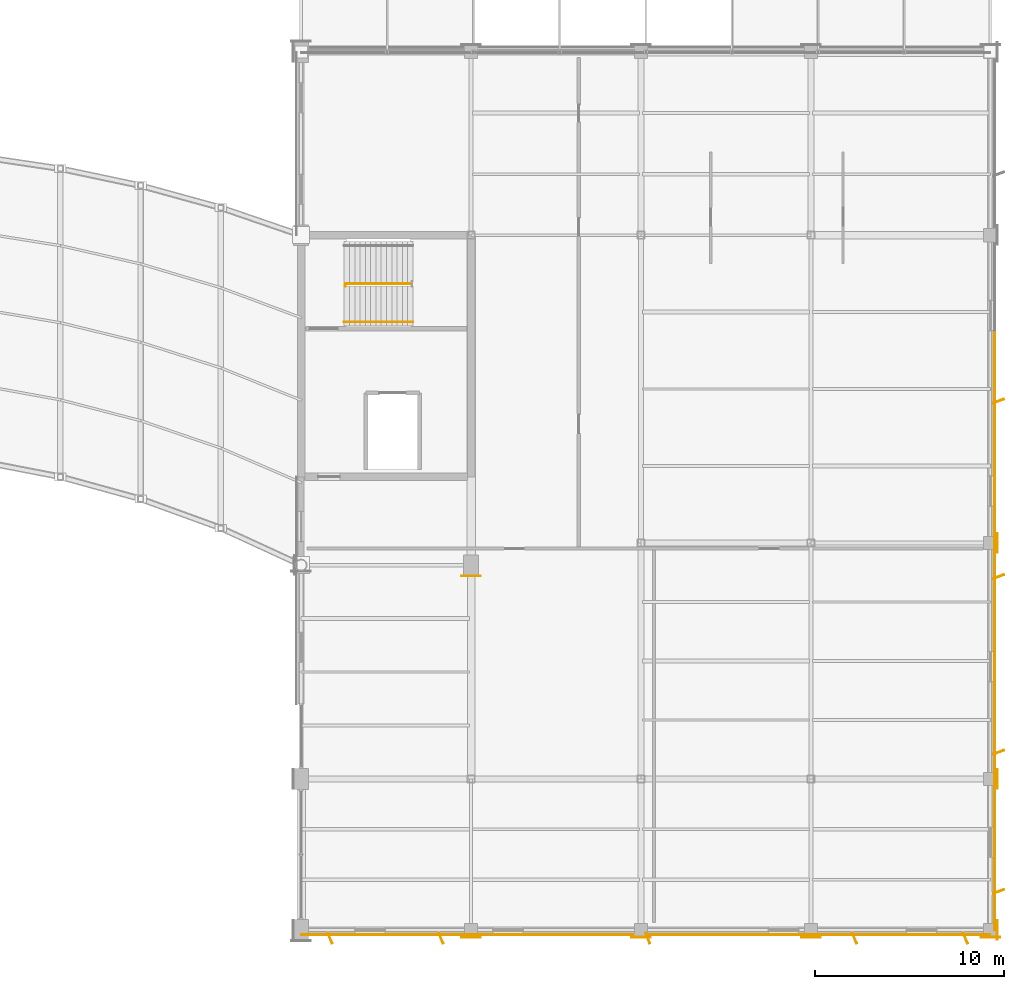
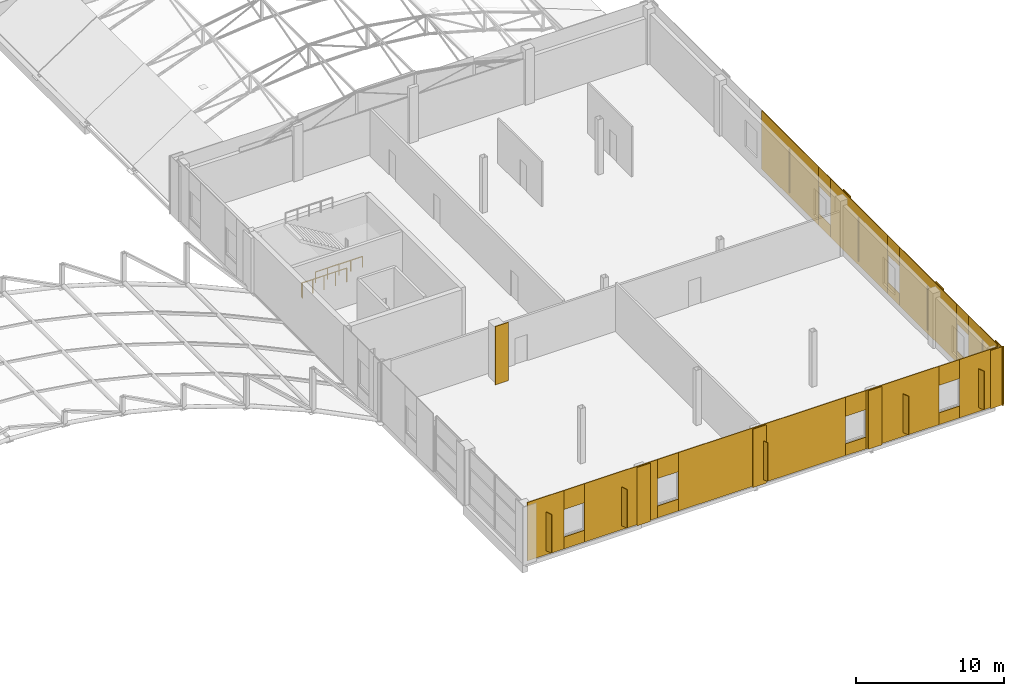
# One storey, part 98 of 101: 40 coverings, 2 railings.
"""IFC4 building model written with IfcOpenShell, lengths in metres."""

from ifc_helpers import new_model, si_unit, direction, frame, origin, origin_2d, place, context, subcontext, project, spatial, rectangle, circle, extrude, material, layer, layer_set, type_object, element, save


model = new_model("IFC4")

# Units and contexts
model_context = context("Model", 3, precision=1e-05, world=origin(), true_north=direction((0.0, 1.0)))
body_context = subcontext(model_context, "Body", "Model", "MODEL_VIEW")
ifc_project = project(units=[si_unit("LENGTHUNIT", "METRE"), si_unit("AREAUNIT", "SQUARE_METRE"), si_unit("VOLUMEUNIT", "CUBIC_METRE"), si_unit("PLANEANGLEUNIT", "RADIAN"), si_unit("MASSUNIT", "GRAM", prefix="KILO")], contexts=[model_context])

# Site, building, storey
site_placement = place(None, origin())
site = spatial("IfcSite", under=ifc_project, at=site_placement, CompositionType="ELEMENT")
building_placement = place(site_placement, origin())
building = spatial("IfcBuilding", under=site, at=building_placement, Name="Solvikara Media Centre", CompositionType="ELEMENT")
storey_placement = place(building_placement, frame((0.0, 0.0, 10.199951171875)))
storey = spatial("IfcBuildingStorey", under=building, at=storey_placement, Name="L02", CompositionType="ELEMENT", Elevation=10.199951171875)

# Coverings
ifc_material_1 = material(Name="GFRC white mineral architectural rainscreen panel")
ifc_layer = layer(ifc_material_1, 0.050048828125)
ifc_layer_set = layer_set([ifc_layer], Name="GFRC white mineral architectural rainscreen panel")
covering_type = type_object("IfcCoveringType", Name="CV-04", PredefinedType="CLADDING", material=ifc_layer_set)
for number, where, z_axis, x_axis, name in (
    (1, (136.5, -0.375, 0.0), (0.0, 0.0, 1.0), (1.0, 0.0, 0.0), "PIL-L02-200"),
    (2, (145.5, -0.375, 0.0), (0.0, 0.0, 1.0), (1.0, 0.0, 0.0), "PIL-L02-207"),
    (3, (154.5, -0.375, 0.0), (0.0, 0.0, 1.0), (1.0, 0.0, 0.0), "PIL-L02-213"),
    (4, (164.375, 0.0, 0.0), (0.0, 0.0, 1.0), (0.0, 1.0, 0.0), "PIL-L02-221"),
    (5, (164.0, -0.375, 0.0), (0.0, 0.0, 1.0), (1.0, 0.0, 0.0), "PIL-L02-222"),
    (6, (164.375, 8.0, 0.0), (0.0, 0.0, 1.0), (0.0, 1.0, 0.0), "PIL-L02-225"),
    (7, (164.375, 20.5, 0.0), (0.0, 0.0, 1.0), (0.0, 1.0, 0.0), "PIL-L02-230"),
    (8, (136.5, 18.7490234375, 0.0), (0.0, 0.0, 1.0), (1.0, 0.0, 0.0), "PIL-L02-244"),
):
    element("IfcCovering", number, at=place(storey_placement, frame(where, z_axis=z_axis, x_axis=x_axis)), inside=storey, type_object=covering_type, Name=name, PredefinedType="CLADDING", context=body_context, shape_type="SweptSolid", body=[
        extrude(rectangle(XDim=1.0400390625, YDim=0.050048828125, at=origin_2d()), origin(), (0.0, 0.0, 1.0), 4.800048828125),
    ])
covering_1_placement = place(storey_placement, frame((128.925048828125, -0.2451171875, 0.0), z_axis=(0.0, 0.0, 1.0), x_axis=(1.0, 0.0, 0.0)))
element("IfcCovering", 9, at=covering_1_placement, inside=storey, type_object=covering_type, Name="L02-V5S-CV-F01", PredefinedType="CLADDING", context=body_context, shape_type="SweptSolid", body=[
    extrude(rectangle(XDim=2.85009765625, YDim=0.050048828125, at=origin_2d()), origin(), (0.0, 0.0, 1.0), 4.800048828125),
])
covering_2_placement = place(storey_placement, frame((129.034912109375, -0.43505859375, 0.35009765625), z_axis=(0.0, 0.0, 1.0), x_axis=(0.3656566557, -0.930749810713, 0.0)))
element("IfcCovering", 10, at=covering_2_placement, inside=storey, type_object=covering_type, Name="L02-V5S-FIN-01", PredefinedType="CLADDING", context=body_context, shape_type="SweptSolid", body=[
    extrude(rectangle(XDim=0.60205078125, YDim=0.050048828125, at=origin_2d()), origin(), (0.0, 0.0, 1.0), 3.169921875),
])
covering_3_placement = place(storey_placement, frame((131.14990234375, -0.2451171875, 0.0), z_axis=(0.0, 0.0, 1.0), x_axis=(1.0, 0.0, 0.0)))
element("IfcCovering", 11, at=covering_3_placement, inside=storey, type_object=covering_type, Name="L02-V5S-CV-S02", PredefinedType="CLADDING", context=body_context, shape_type="SweptSolid", body=[
    extrude(rectangle(XDim=1.60009765625, YDim=0.050048828125, at=origin_2d()), origin(), (0.0, 0.0, 1.0), 0.969970703125),
])
covering_4_placement = place(storey_placement, frame((131.14990234375, -0.2451171875, 3.22998046875), z_axis=(0.0, 0.0, 1.0), x_axis=(1.0, 0.0, 0.0)))
element("IfcCovering", 12, at=covering_4_placement, inside=storey, type_object=covering_type, Name="L02-V5S-CV-H02", PredefinedType="CLADDING", context=body_context, shape_type="SweptSolid", body=[
    extrude(rectangle(XDim=1.60009765625, YDim=0.050048828125, at=origin_2d()), origin(), (0.0, 0.0, 1.0), 1.570068359375),
])
covering_5_placement = place(storey_placement, frame((134.800048828125, -0.2451171875, 0.0), z_axis=(0.0, 0.0, 1.0), x_axis=(1.0, 0.0, 0.0)))
element("IfcCovering", 13, at=covering_5_placement, inside=storey, type_object=covering_type, Name="L02-V5S-CV-F03", PredefinedType="CLADDING", context=body_context, shape_type="SweptSolid", body=[
    extrude(rectangle(XDim=5.699951171875, YDim=0.050048828125, at=origin_2d()), origin(), (0.0, 0.0, 1.0), 4.800048828125),
])
covering_6_placement = place(storey_placement, frame((134.909912109375, -0.43505859375, 0.35009765625), z_axis=(0.0, 0.0, 1.0), x_axis=(0.3656566557, -0.930749810713, 0.0)))
element("IfcCovering", 14, at=covering_6_placement, inside=storey, type_object=covering_type, Name="L02-V5S-FIN-03", PredefinedType="CLADDING", context=body_context, shape_type="SweptSolid", body=[
    extrude(rectangle(XDim=0.60205078125, YDim=0.050048828125, at=origin_2d()), origin(), (0.0, 0.0, 1.0), 3.169921875),
])
covering_7_placement = place(storey_placement, frame((138.449951171875, -0.2451171875, 0.0), z_axis=(0.0, 0.0, 1.0), x_axis=(1.0, 0.0, 0.0)))
element("IfcCovering", 15, at=covering_7_placement, inside=storey, type_object=covering_type, Name="L02-V5S-CV-S04", PredefinedType="CLADDING", context=body_context, shape_type="SweptSolid", body=[
    extrude(rectangle(XDim=1.60009765625, YDim=0.050048828125, at=origin_2d()), origin(), (0.0, 0.0, 1.0), 0.969970703125),
])
covering_8_placement = place(storey_placement, frame((138.449951171875, -0.2451171875, 3.22998046875), z_axis=(0.0, 0.0, 1.0), x_axis=(1.0, 0.0, 0.0)))
element("IfcCovering", 16, at=covering_8_placement, inside=storey, type_object=covering_type, Name="L02-V5S-CV-H04", PredefinedType="CLADDING", context=body_context, shape_type="SweptSolid", body=[
    extrude(rectangle(XDim=1.60009765625, YDim=0.050048828125, at=origin_2d()), origin(), (0.0, 0.0, 1.0), 1.570068359375),
])
covering_9_placement = place(storey_placement, frame((145.75, -0.2451171875, 0.0), z_axis=(0.0, 0.0, 1.0), x_axis=(1.0, 0.0, 0.0)))
element("IfcCovering", 17, at=covering_9_placement, inside=storey, type_object=covering_type, Name="L02-V5S-CV-F05", PredefinedType="CLADDING", context=body_context, shape_type="SweptSolid", body=[
    extrude(rectangle(XDim=13.0, YDim=0.050048828125, at=origin_2d()), origin(), (0.0, 0.0, 1.0), 4.800048828125),
])
covering_10_placement = place(storey_placement, frame((145.860107421875, -0.43505859375, 0.35009765625), z_axis=(0.0, 0.0, 1.0), x_axis=(0.3656566557, -0.930749810713, 0.0)))
element("IfcCovering", 18, at=covering_10_placement, inside=storey, type_object=covering_type, Name="L02-V5S-FIN-05", PredefinedType="CLADDING", context=body_context, shape_type="SweptSolid", body=[
    extrude(rectangle(XDim=0.60205078125, YDim=0.050048828125, at=origin_2d()), origin(), (0.0, 0.0, 1.0), 3.169921875),
])
covering_11_placement = place(storey_placement, frame((153.050048828125, -0.2451171875, 0.0), z_axis=(0.0, 0.0, 1.0), x_axis=(1.0, 0.0, 0.0)))
element("IfcCovering", 19, at=covering_11_placement, inside=storey, type_object=covering_type, Name="L02-V5S-CV-S06", PredefinedType="CLADDING", context=body_context, shape_type="SweptSolid", body=[
    extrude(rectangle(XDim=1.60009765625, YDim=0.050048828125, at=origin_2d()), origin(), (0.0, 0.0, 1.0), 0.969970703125),
])
covering_12_placement = place(storey_placement, frame((153.050048828125, -0.2451171875, 3.22998046875), z_axis=(0.0, 0.0, 1.0), x_axis=(1.0, 0.0, 0.0)))
element("IfcCovering", 20, at=covering_12_placement, inside=storey, type_object=covering_type, Name="L02-V5S-CV-H06", PredefinedType="CLADDING", context=body_context, shape_type="SweptSolid", body=[
    extrude(rectangle(XDim=1.60009765625, YDim=0.050048828125, at=origin_2d()), origin(), (0.0, 0.0, 1.0), 1.570068359375),
])
covering_13_placement = place(storey_placement, frame((156.699951171875, -0.2451171875, 0.0), z_axis=(0.0, 0.0, 1.0), x_axis=(1.0, 0.0, 0.0)))
element("IfcCovering", 21, at=covering_13_placement, inside=storey, type_object=covering_type, Name="L02-V5S-CV-F07", PredefinedType="CLADDING", context=body_context, shape_type="SweptSolid", body=[
    extrude(rectangle(XDim=5.699951171875, YDim=0.050048828125, at=origin_2d()), origin(), (0.0, 0.0, 1.0), 4.800048828125),
])
covering_14_placement = place(storey_placement, frame((156.81005859375, -0.43505859375, 0.35009765625), z_axis=(0.0, 0.0, 1.0), x_axis=(0.3656566557, -0.930749810713, 0.0)))
element("IfcCovering", 22, at=covering_14_placement, inside=storey, type_object=covering_type, Name="L02-V5S-FIN-07", PredefinedType="CLADDING", context=body_context, shape_type="SweptSolid", body=[
    extrude(rectangle(XDim=0.60205078125, YDim=0.050048828125, at=origin_2d()), origin(), (0.0, 0.0, 1.0), 3.169921875),
])
covering_15_placement = place(storey_placement, frame((160.35009765625, -0.2451171875, 0.0), z_axis=(0.0, 0.0, 1.0), x_axis=(1.0, 0.0, 0.0)))
element("IfcCovering", 23, at=covering_15_placement, inside=storey, type_object=covering_type, Name="L02-V5S-CV-S08", PredefinedType="CLADDING", context=body_context, shape_type="SweptSolid", body=[
    extrude(rectangle(XDim=1.60009765625, YDim=0.050048828125, at=origin_2d()), origin(), (0.0, 0.0, 1.0), 0.969970703125),
])
covering_16_placement = place(storey_placement, frame((160.35009765625, -0.2451171875, 3.22998046875), z_axis=(0.0, 0.0, 1.0), x_axis=(1.0, 0.0, 0.0)))
element("IfcCovering", 24, at=covering_16_placement, inside=storey, type_object=covering_type, Name="L02-V5S-CV-H08", PredefinedType="CLADDING", context=body_context, shape_type="SweptSolid", body=[
    extrude(rectangle(XDim=1.60009765625, YDim=0.050048828125, at=origin_2d()), origin(), (0.0, 0.0, 1.0), 1.570068359375),
])
covering_17_placement = place(storey_placement, frame((162.574951171875, -0.2451171875, 0.0), z_axis=(0.0, 0.0, 1.0), x_axis=(1.0, 0.0, 0.0)))
element("IfcCovering", 25, at=covering_17_placement, inside=storey, type_object=covering_type, Name="L02-V5S-CV-F09", PredefinedType="CLADDING", context=body_context, shape_type="SweptSolid", body=[
    extrude(rectangle(XDim=2.85009765625, YDim=0.050048828125, at=origin_2d()), origin(), (0.0, 0.0, 1.0), 4.800048828125),
])
covering_18_placement = place(storey_placement, frame((162.68505859375, -0.43505859375, 0.35009765625), z_axis=(0.0, 0.0, 1.0), x_axis=(0.3656566557, -0.930749810713, 0.0)))
element("IfcCovering", 26, at=covering_18_placement, inside=storey, type_object=covering_type, Name="L02-V5S-FIN-09", PredefinedType="CLADDING", context=body_context, shape_type="SweptSolid", body=[
    extrude(rectangle(XDim=0.60205078125, YDim=0.050048828125, at=origin_2d()), origin(), (0.0, 0.0, 1.0), 3.169921875),
])
covering_19_placement = place(storey_placement, frame((164.2451171875, 1.925048828125, 0.0), z_axis=(0.0, 0.0, 1.0), x_axis=(0.0, 1.0, 0.0)))
element("IfcCovering", 27, at=covering_19_placement, inside=storey, type_object=covering_type, Name="L02-V5E-CV-F01", PredefinedType="CLADDING", context=body_context, shape_type="SweptSolid", body=[
    extrude(rectangle(XDim=3.85009765625, YDim=0.050048828125, at=origin_2d()), origin(), (0.0, 0.0, 1.0), 4.800048828125),
])
covering_20_placement = place(storey_placement, frame((164.43505859375, 2.034912109375, 0.35009765625), z_axis=(0.0, 0.0, 1.0), x_axis=(0.930749810713, 0.3656566557, 0.0)))
element("IfcCovering", 28, at=covering_20_placement, inside=storey, type_object=covering_type, Name="L02-V5E-FIN-01", PredefinedType="CLADDING", context=body_context, shape_type="SweptSolid", body=[
    extrude(rectangle(XDim=0.60205078125, YDim=0.050048828125, at=origin_2d()), origin(), (0.0, 0.0, 1.0), 3.617919921875),
])
covering_21_placement = place(storey_placement, frame((164.2451171875, 4.64990234375, 0.0), z_axis=(0.0, 0.0, 1.0), x_axis=(0.0, 1.0, 0.0)))
element("IfcCovering", 29, at=covering_21_placement, inside=storey, type_object=covering_type, Name="L02-V5E-CV-S02", PredefinedType="CLADDING", context=body_context, shape_type="SweptSolid", body=[
    extrude(rectangle(XDim=1.60009765625, YDim=0.050048828125, at=origin_2d()), origin(), (0.0, 0.0, 1.0), 0.969970703125),
])
covering_22_placement = place(storey_placement, frame((164.2451171875, 4.64990234375, 3.22998046875), z_axis=(0.0, 0.0, 1.0), x_axis=(0.0, 1.0, 0.0)))
element("IfcCovering", 30, at=covering_22_placement, inside=storey, type_object=covering_type, Name="L02-V5E-CV-H02", PredefinedType="CLADDING", context=body_context, shape_type="SweptSolid", body=[
    extrude(rectangle(XDim=1.60009765625, YDim=0.050048828125, at=origin_2d()), origin(), (0.0, 0.0, 1.0), 1.570068359375),
])
covering_23_placement = place(storey_placement, frame((164.2451171875, 9.300048828125, 0.0), z_axis=(0.0, 0.0, 1.0), x_axis=(0.0, 1.0, 0.0)))
element("IfcCovering", 31, at=covering_23_placement, inside=storey, type_object=covering_type, Name="L02-V5E-CV-F03", PredefinedType="CLADDING", context=body_context, shape_type="SweptSolid", body=[
    extrude(rectangle(XDim=7.699951171875, YDim=0.050048828125, at=origin_2d()), origin(), (0.0, 0.0, 1.0), 4.800048828125),
])
covering_24_placement = place(storey_placement, frame((164.43505859375, 9.409912109375, 0.35009765625), z_axis=(0.0, 0.0, 1.0), x_axis=(0.930749810713, 0.3656566557, 0.0)))
element("IfcCovering", 32, at=covering_24_placement, inside=storey, type_object=covering_type, Name="L02-V5E-FIN-03", PredefinedType="CLADDING", context=body_context, shape_type="SweptSolid", body=[
    extrude(rectangle(XDim=0.60205078125, YDim=0.050048828125, at=origin_2d()), origin(), (0.0, 0.0, 1.0), 3.617919921875),
])
covering_25_placement = place(storey_placement, frame((164.2451171875, 13.949951171875, 0.0), z_axis=(0.0, 0.0, 1.0), x_axis=(0.0, 1.0, 0.0)))
element("IfcCovering", 33, at=covering_25_placement, inside=storey, type_object=covering_type, Name="L02-V5E-CV-S04", PredefinedType="CLADDING", context=body_context, shape_type="SweptSolid", body=[
    extrude(rectangle(XDim=1.60009765625, YDim=0.050048828125, at=origin_2d()), origin(), (0.0, 0.0, 1.0), 0.969970703125),
])
covering_26_placement = place(storey_placement, frame((164.2451171875, 13.949951171875, 3.22998046875), z_axis=(0.0, 0.0, 1.0), x_axis=(0.0, 1.0, 0.0)))
element("IfcCovering", 34, at=covering_26_placement, inside=storey, type_object=covering_type, Name="L02-V5E-CV-H04", PredefinedType="CLADDING", context=body_context, shape_type="SweptSolid", body=[
    extrude(rectangle(XDim=1.60009765625, YDim=0.050048828125, at=origin_2d()), origin(), (0.0, 0.0, 1.0), 1.570068359375),
])
covering_27_placement = place(storey_placement, frame((164.2451171875, 18.60009765625, 0.0), z_axis=(0.0, 0.0, 1.0), x_axis=(0.0, 1.0, 0.0)))
element("IfcCovering", 35, at=covering_27_placement, inside=storey, type_object=covering_type, Name="L02-V5E-CV-F05", PredefinedType="CLADDING", context=body_context, shape_type="SweptSolid", body=[
    extrude(rectangle(XDim=7.699951171875, YDim=0.050048828125, at=origin_2d()), origin(), (0.0, 0.0, 1.0), 4.800048828125),
])
covering_28_placement = place(storey_placement, frame((164.43505859375, 18.7099609375, 0.35009765625), z_axis=(0.0, 0.0, 1.0), x_axis=(0.930749810713, 0.3656566557, 0.0)))
element("IfcCovering", 36, at=covering_28_placement, inside=storey, type_object=covering_type, Name="L02-V5E-FIN-05", PredefinedType="CLADDING", context=body_context, shape_type="SweptSolid", body=[
    extrude(rectangle(XDim=0.60205078125, YDim=0.050048828125, at=origin_2d()), origin(), (0.0, 0.0, 1.0), 3.617919921875),
])
covering_29_placement = place(storey_placement, frame((164.2451171875, 23.25, 0.0), z_axis=(0.0, 0.0, 1.0), x_axis=(0.0, 1.0, 0.0)))
element("IfcCovering", 37, at=covering_29_placement, inside=storey, type_object=covering_type, Name="L02-V5E-CV-S06", PredefinedType="CLADDING", context=body_context, shape_type="SweptSolid", body=[
    extrude(rectangle(XDim=1.60009765625, YDim=0.050048828125, at=origin_2d()), origin(), (0.0, 0.0, 1.0), 0.969970703125),
])
covering_30_placement = place(storey_placement, frame((164.2451171875, 23.25, 3.22998046875), z_axis=(0.0, 0.0, 1.0), x_axis=(0.0, 1.0, 0.0)))
element("IfcCovering", 38, at=covering_30_placement, inside=storey, type_object=covering_type, Name="L02-V5E-CV-H06", PredefinedType="CLADDING", context=body_context, shape_type="SweptSolid", body=[
    extrude(rectangle(XDim=1.60009765625, YDim=0.050048828125, at=origin_2d()), origin(), (0.0, 0.0, 1.0), 1.570068359375),
])
covering_31_placement = place(storey_placement, frame((164.2451171875, 27.89990234375, 0.0), z_axis=(0.0, 0.0, 1.0), x_axis=(0.0, 1.0, 0.0)))
element("IfcCovering", 39, at=covering_31_placement, inside=storey, type_object=covering_type, Name="L02-V5E-CV-F07", PredefinedType="CLADDING", context=body_context, shape_type="SweptSolid", body=[
    extrude(rectangle(XDim=7.699951171875, YDim=0.050048828125, at=origin_2d()), origin(), (0.0, 0.0, 1.0), 4.800048828125),
])
covering_32_placement = place(storey_placement, frame((164.43505859375, 28.010009765625, 0.35009765625), z_axis=(0.0, 0.0, 1.0), x_axis=(0.930749810713, 0.3656566557, 0.0)))
element("IfcCovering", 40, at=covering_32_placement, inside=storey, type_object=covering_type, Name="L02-V5E-FIN-07", PredefinedType="CLADDING", context=body_context, shape_type="SweptSolid", body=[
    extrude(rectangle(XDim=0.60205078125, YDim=0.050048828125, at=origin_2d()), origin(), (0.0, 0.0, 1.0), 3.617919921875),
])

# Railings
ifc_material_2 = material(Name="Steel S355JR", Category="steel")
railing_type_1 = type_object("IfcRailingType", Name="GR-01", PredefinedType="GUARDRAIL", material=ifc_material_2)
railing_1_placement = place(storey_placement, frame((129.840087890625, 34.080078125, 0.0)))
element("IfcRailing", 41, at=railing_1_placement, inside=storey, type_object=railing_type_1, Name="GR-C4-L01-W", PredefinedType="GUARDRAIL", context=body_context, shape_type="SweptSolid", body=[
    extrude(circle(Radius=0.02392578125, at=origin_2d()), frame((0.0, 0.0, 1.1259765625), z_axis=(0.0, 1.0, 0.0), x_axis=(-1.0, 0.0, 0.0)), (0.0, 0.0, 1.0), 0.139892578125),
    extrude(circle(Radius=0.02392578125, at=origin_2d()), frame((0.0, 0.139892578125, 1.1259765625), z_axis=(1.0, 0.0, 0.0), x_axis=(0.0, 1.0, 0.0)), (0.0, 0.0, 1.0), 3.52001953125),
    extrude(circle(Radius=0.02099609375, at=origin_2d()), origin(), (0.0, 0.0, 1.0), 1.101806640625),
    extrude(circle(Radius=0.02099609375, at=origin_2d()), frame((0.0, 0.139892578125, 0.0)), (0.0, 0.0, 1.0), 1.101806640625),
    extrude(circle(Radius=0.02099609375, at=origin_2d()), frame((0.8798828125, 0.139892578125, 0.0)), (0.0, 0.0, 1.0), 1.101806640625),
    extrude(circle(Radius=0.02099609375, at=origin_2d()), frame((1.760009765625, 0.139892578125, 0.0)), (0.0, 0.0, 1.0), 1.101806640625),
    extrude(circle(Radius=0.02099609375, at=origin_2d()), frame((2.64013671875, 0.139892578125, 0.0)), (0.0, 0.0, 1.0), 1.101806640625),
    extrude(circle(Radius=0.02099609375, at=origin_2d()), frame((3.52001953125, 0.139892578125, 0.0)), (0.0, 0.0, 1.0), 1.101806640625),
])
railing_type_2 = type_object("IfcRailingType", Name="HR-01", PredefinedType="HANDRAIL", material=ifc_material_2)
railing_2_placement = place(storey_placement, frame((129.780029296875, 32.199951171875, 2.400146484375)))
element("IfcRailing", 42, at=railing_2_placement, inside=storey, type_object=railing_type_2, Name="HR-C4-L02-1", PredefinedType="HANDRAIL", context=body_context, shape_type="SweptSolid", body=[
    extrude(circle(Radius=0.02392578125, at=origin_2d()), frame((0.0, 0.0, 0.89599609375), z_axis=(1.0, 0.0, 0.0), x_axis=(0.0, 1.0, 0.0)), (0.0, 0.0, 1.0), 3.639892578125),
    extrude(circle(Radius=0.02099609375, at=origin_2d()), origin(), (0.0, 0.0, 1.0), 0.871826171875),
    extrude(circle(Radius=0.02099609375, at=origin_2d()), frame((0.909912109375, 0.0, 0.0)), (0.0, 0.0, 1.0), 0.871826171875),
    extrude(circle(Radius=0.02099609375, at=origin_2d()), frame((1.81982421875, 0.0, 0.0)), (0.0, 0.0, 1.0), 0.871826171875),
    extrude(circle(Radius=0.02099609375, at=origin_2d()), frame((2.72998046875, 0.0, 0.0)), (0.0, 0.0, 1.0), 0.871826171875),
    extrude(circle(Radius=0.02099609375, at=origin_2d()), frame((3.639892578125, 0.0, 0.0)), (0.0, 0.0, 1.0), 0.871826171875),
])

save(model, "model.ifc")
